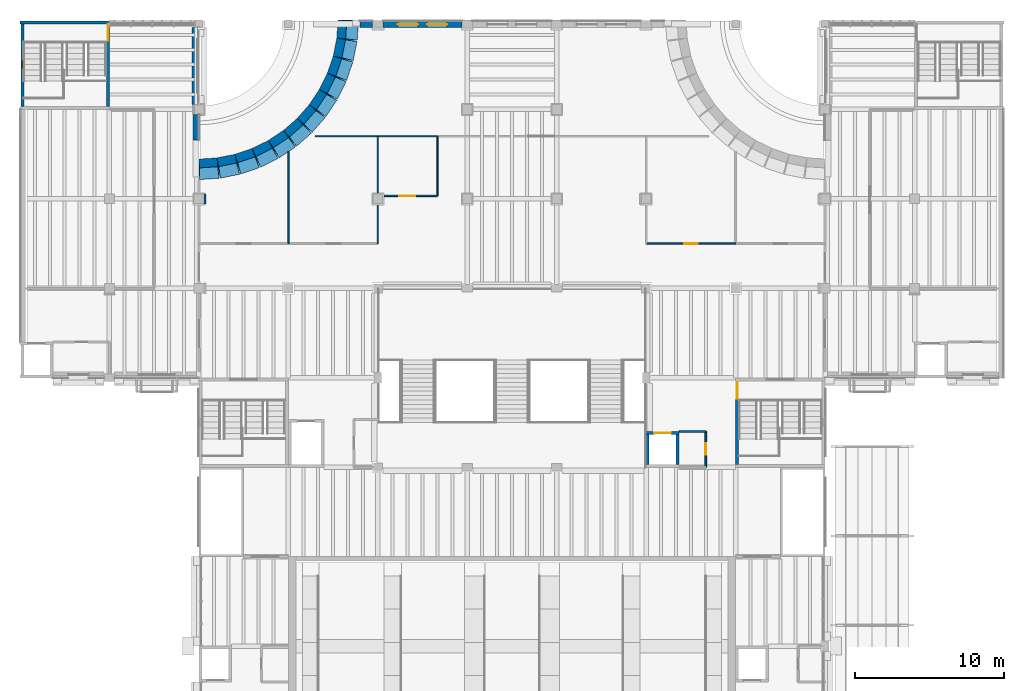
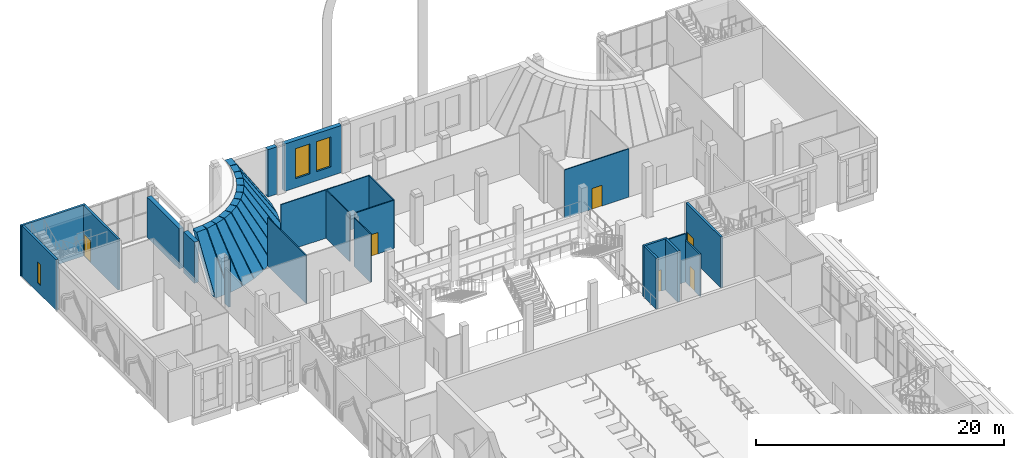
# One storey, part 44 of 80: 34 walls, 6 doors, 3 windows, 9 openings.
"""IFC4 building model written with IfcOpenShell, lengths in metres."""

from ifc_helpers import new_model, si_unit, direction, frame, frame_2d, origin, place, context, subcontext, project, spatial, polyline, rectangle, outline, extrude, material, layer, layer_set, type_object, element, fill, save


model = new_model("IFC4")

# Units and contexts
model_context = context("Model", 3, precision=1e-05, world=origin(), true_north=direction((0.0, 1.0)))
body_context = subcontext(model_context, "Body", "Model", "MODEL_VIEW")
ifc_project = project(units=[si_unit("LENGTHUNIT", "METRE"), si_unit("AREAUNIT", "SQUARE_METRE"), si_unit("VOLUMEUNIT", "CUBIC_METRE"), si_unit("PLANEANGLEUNIT", "RADIAN"), si_unit("MASSUNIT", "GRAM", prefix="KILO")], contexts=[model_context])

# Site, building, storey
site_placement = place(None, origin())
site = spatial("IfcSite", under=ifc_project, at=site_placement, CompositionType="ELEMENT")
building_placement = place(site_placement, origin())
building = spatial("IfcBuilding", under=site, at=building_placement, Name="Saffron Lane Theatres", CompositionType="ELEMENT")
storey_placement = place(building_placement, frame((0.0, 0.0, 7.0)))
storey = spatial("IfcBuildingStorey", under=building, at=storey_placement, Name="L01", CompositionType="ELEMENT", Elevation=7.0)

# Walls
ifc_material_1 = material(Name="Masonry pale clay brick", Category="masonry")
ifc_layer_1 = layer(ifc_material_1, 0.11, Name="facing leaf")
ifc_material_2 = material(Name="Air cavity", Category="air")
ifc_layer_2 = layer(ifc_material_2, 0.05, ventilated=True, Name="cavity")
ifc_material_3 = material(Name="Mineral wool insulation")
ifc_layer_3 = layer(ifc_material_3, 0.06, Name="insulation")
ifc_material_4 = material(Name="Concrete N40 (40 MPa)", Category="concrete")
ifc_layer_4 = layer(ifc_material_4, 0.18, Name="inner leaf")
ifc_layer_set_1 = layer_set([ifc_layer_1, ifc_layer_2, ifc_layer_3, ifc_layer_4], Name="Masonry pale clay brick")
wall_type_1 = type_object("IfcWallType", Name="EX-WALL BRICK 400", PredefinedType="SOLIDWALL", material=ifc_layer_set_1)
wall_1_placement = place(storey_placement, frame((11.75, 125.49951171875, 0.0), z_axis=(0.0, 0.0, 1.0), x_axis=(0.0, -1.0, 0.0)))
element("IfcWall", 1, at=wall_1_placement, inside=storey, type_object=wall_type_1, Name="External wall L01 03", PredefinedType="SOLIDWALL", context=body_context, shape_type="SweptSolid", body=[
    extrude(rectangle(XDim=5.174560546875, YDim=0.39990234375, at=frame_2d((2.58740234375, 0.0))), origin(), (0.0, 0.0, 1.0), 3.949951171875),
])
wall_2_placement = place(storey_placement, frame((11.800048828125, 119.675048828125, 0.0), z_axis=(0.0, 0.0, 1.0), x_axis=(0.0, -1.0, 0.0)))
element("IfcWall", 2, at=wall_2_placement, inside=storey, type_object=wall_type_1, Name="External wall L01 04", PredefinedType="SOLIDWALL", context=body_context, shape_type="SweptSolid", body=[
    extrude(rectangle(XDim=1.727783203125, YDim=0.39990234375, at=frame_2d((0.86376953125, 0.0))), origin(), (0.0, 0.0, 1.0), 4.050048828125),
])

# Wall, openings, windows
wall_3_placement = place(storey_placement, frame((24.35009765625, 125.699951171875, 0.0), z_axis=(0.0, 0.0, 1.0), x_axis=(1.0, 0.0, 0.0)))
wall_3 = element("IfcWall", 3, at=wall_3_placement, inside=storey, type_object=wall_type_1, Name="External wall L01 08", PredefinedType="SOLIDWALL", context=body_context, shape_type="SweptSolid", body=[
    extrude(rectangle(XDim=5.2998046875, YDim=0.39990234375, at=frame_2d((2.64990234375, 0.0))), origin(), (0.0, 0.0, 1.0), 4.64990234375),
])
opening_1_placement = place(wall_3_placement, frame((1.0, 0.0, 0.89990234375)))
opening_1 = element("IfcOpeningElement", 4, at=opening_1_placement, cuts=wall_3, Name="Opening WN01-002", PredefinedType="OPENING", context=body_context, shape_type="SweptSolid", body=[
    extrude(rectangle(XDim=1.35009765625, YDim=2.949951171875, at=frame_2d((0.675048828125, 1.47509765625))), frame((0.0, 0.2099609375, 0.0), z_axis=(0.0, -1.0, 0.0), x_axis=(1.0, 0.0, 0.0)), (0.0, 0.0, 1.0), 0.419921875),
])
opening_2_placement = place(wall_3_placement, frame((2.949951171875, 0.0, 0.89990234375)))
opening_2 = element("IfcOpeningElement", 5, at=opening_2_placement, cuts=wall_3, Name="Opening WN01-003", PredefinedType="OPENING", context=body_context, shape_type="SweptSolid", body=[
    extrude(rectangle(XDim=1.35009765625, YDim=2.949951171875, at=frame_2d((0.675048828125, 1.47509765625))), frame((0.0, 0.2099609375, 0.0), z_axis=(0.0, -1.0, 0.0), x_axis=(1.0, 0.0, 0.0)), (0.0, 0.0, 1.0), 0.419921875),
])
ifc_material_5 = material(Name="Aluminium", Category="aluminium")
window_type_1 = type_object("IfcWindowType", Name="EX-WINDOW 1350x2950", PartitioningType="SINGLE_PANEL", PredefinedType="WINDOW", material=ifc_material_5)
window_1_placement = place(opening_1_placement, origin())
window_1 = element("IfcWindow", 6, at=window_1_placement, inside=storey, type_object=window_type_1, Name="Window L01 002", OverallHeight=2.949951171875, OverallWidth=1.35009765625, PartitioningType="SINGLE_PANEL", PredefinedType="WINDOW", context=body_context, shape_type="SweptSolid", body=[
    extrude(rectangle(XDim=1.35009765625, YDim=2.949951171875, at=frame_2d((0.675048828125, 1.47509765625))), frame((0.0, 0.030029296875, 0.0), z_axis=(0.0, -1.0, 0.0), x_axis=(1.0, 0.0, 0.0)), (0.0, 0.0, 1.0), 0.06005859375),
])
fill(opening_1, window_1)
window_2_placement = place(opening_2_placement, origin())
window_2 = element("IfcWindow", 7, at=window_2_placement, inside=storey, type_object=window_type_1, Name="Window L01 003", OverallHeight=2.949951171875, OverallWidth=1.35009765625, PartitioningType="SINGLE_PANEL", PredefinedType="WINDOW", context=body_context, shape_type="SweptSolid", body=[
    extrude(rectangle(XDim=1.35009765625, YDim=2.949951171875, at=frame_2d((0.675048828125, 1.47509765625))), frame((0.0, 0.030029296875, 0.0), z_axis=(0.0, -1.0, 0.0), x_axis=(1.0, 0.0, 0.0)), (0.0, 0.0, 1.0), 0.06005859375),
])
fill(opening_2, window_2)

# Wall
ifc_material_6 = material(Name="Masonry pale clay brick (20 MPa)", Category="masonry")
ifc_layer_5 = layer(ifc_material_6, 0.39990234375)
ifc_layer_set_2 = layer_set([ifc_layer_5], Name="Masonry pale clay brick (20 MPa)")
wall_type_2 = type_object("IfcWallType", Name="EX-WALL BRICK BEARING 400", PredefinedType="SOLIDWALL", material=ifc_layer_set_2)
wall_4_placement = place(storey_placement, frame((22.7978515625, 125.699951171875, 0.0), z_axis=(0.0, 0.0, 1.0), x_axis=(1.0, 0.0, 0.0)))
element("IfcWall", 8, at=wall_4_placement, inside=storey, type_object=wall_type_2, Name="External wall L01 06", PredefinedType="SOLIDWALL", context=body_context, shape_type="SweptSolid", body=[
    extrude(rectangle(XDim=0.85205078125, YDim=0.39990234375, at=frame_2d((0.426025390625, 0.0))), origin(), (0.0, 0.0, 1.0), 4.64990234375),
])

# Wall, opening, door
ifc_material_7 = material(Name="Masonry block partition", Category="masonry")
ifc_layer_6 = layer(ifc_material_7, 0.110107421875)
ifc_layer_set_3 = layer_set([ifc_layer_6], Name="Masonry block partition")
wall_type_3 = type_object("IfcWallType", Name="IN-BLOCK PARTITION 110", PredefinedType="PARTITIONING", material=ifc_layer_set_3)
wall_5_placement = place(storey_placement, frame((46.0, 96.0, 0.0), z_axis=(0.0, 0.0, 1.0), x_axis=(0.0, 1.0, 0.0)))
wall_5 = element("IfcWall", 9, at=wall_5_placement, inside=storey, type_object=wall_type_3, Name="PW-L01-042", PredefinedType="PARTITIONING", context=body_context, shape_type="SweptSolid", body=[
    extrude(rectangle(XDim=2.39990234375, YDim=0.110107421875, at=frame_2d((1.199951171875, 0.0))), origin(), (0.0, 0.0, 1.0), 4.14990234375),
])
opening_3_placement = place(wall_5_placement, frame((0.85009765625, 0.0, 0.0)))
opening_3 = element("IfcOpeningElement", 10, at=opening_3_placement, cuts=wall_5, Name="Opening D01-51", PredefinedType="OPENING", context=body_context, shape_type="SweptSolid", body=[
    extrude(rectangle(XDim=0.75, YDim=2.0400390625, at=frame_2d((0.375, 1.02001953125))), frame((0.0, 0.06494140625, 0.0), z_axis=(0.0, -1.0, 0.0), x_axis=(1.0, 0.0, 0.0)), (0.0, 0.0, 1.0), 0.130126953125),
])
ifc_material_8 = material(Name="Steel faced fire door leaf", Category="steel")
door_type_1 = type_object("IfcDoorType", Name="IN-DOOR 750x2040 FD60", OperationType="NOTDEFINED", PredefinedType="DOOR", material=ifc_material_8)
door_1_placement = place(opening_3_placement, origin())
door_1 = element("IfcDoor", 11, at=door_1_placement, inside=storey, type_object=door_type_1, Name="D01-51", OperationType="SINGLE_SWING_LEFT", OverallHeight=2.0400390625, OverallWidth=0.75, PredefinedType="DOOR", context=body_context, shape_type="SweptSolid", body=[
    extrude(rectangle(XDim=0.75, YDim=2.0400390625, at=frame_2d((0.375, 1.02001953125))), frame((0.0, 0.02490234375, 0.0), z_axis=(0.0, -1.0, 0.0), x_axis=(1.0, 0.0, 0.0)), (0.0, 0.0, 1.0), 0.050048828125),
])
fill(opening_3, door_1)

# Walls
wall_6_placement = place(storey_placement, frame((44.219970703125, 98.39990234375, 0.0), z_axis=(0.0, 0.0, 1.0), x_axis=(1.0, 0.0, 0.0)))
element("IfcWall", 12, at=wall_6_placement, inside=storey, type_object=wall_type_3, Name="PW-L01-043", PredefinedType="PARTITIONING", context=body_context, shape_type="SweptSolid", body=[
    extrude(rectangle(XDim=1.780029296875, YDim=0.110107421875, at=frame_2d((0.89013671875, 0.0))), origin(), (0.0, 0.0, 1.0), 4.75),
])
ifc_material_9 = material(Name="Masonry block partition", Category="masonry")
ifc_layer_7 = layer(ifc_material_9, 0.139892578125)
ifc_layer_set_4 = layer_set([ifc_layer_7], Name="Masonry block partition")
wall_type_4 = type_object("IfcWallType", Name="IN-BLOCK PARTITION 140", PredefinedType="PARTITIONING", material=ifc_layer_set_4)
wall_7_placement = place(storey_placement, frame((12.39990234375, 113.655029296875, 0.0), z_axis=(0.0, 0.0, 1.0), x_axis=(0.0, 1.0, 0.0)))
element("IfcWall", 13, at=wall_7_placement, inside=storey, type_object=wall_type_4, Name="PW-L01-052", PredefinedType="PARTITIONING", context=body_context, shape_type="SweptSolid", body=[
    extrude(rectangle(XDim=0.68994140625, YDim=0.139892578125, at=frame_2d((0.344970703125, 0.0))), origin(), (0.0, 0.0, 1.0), 4.75),
])
ifc_material_10 = material(Name="Plasterboard on 90 mm steel studs", Category="steel")
ifc_layer_8 = layer(ifc_material_10, 0.090087890625)
ifc_layer_set_5 = layer_set([ifc_layer_8], Name="Plasterboard on 90 mm steel studs")
wall_type_5 = type_object("IfcWallType", Name="IN-STUD PARTITION 090", PredefinedType="PARTITIONING", material=ifc_layer_set_5)
wall_8_placement = place(storey_placement, frame((24.0, 111.0, 0.0), z_axis=(0.0, 0.0, 1.0), x_axis=(0.0, 1.0, 0.0)))
element("IfcWall", 14, at=wall_8_placement, inside=storey, type_object=wall_type_5, Name="PW-L01-078", PredefinedType="PARTITIONING", context=body_context, shape_type="SweptSolid", body=[
    extrude(rectangle(XDim=2.655029296875, YDim=0.090087890625, at=frame_2d((1.32763671875, 0.0))), origin(), (0.0, 0.0, 1.0), 4.75),
])
wall_9_placement = place(storey_placement, frame((18.0, 111.0, 0.0), z_axis=(0.0, 0.0, 1.0), x_axis=(0.0, 1.0, 0.0)))
element("IfcWall", 15, at=wall_9_placement, inside=storey, type_object=wall_type_5, Name="PW-L01-080", PredefinedType="PARTITIONING", context=body_context, shape_type="SweptSolid", body=[
    extrude(rectangle(XDim=6.1591796875, YDim=0.090087890625, at=frame_2d((3.07958984375, 0.0))), origin(), (0.0, 0.0, 1.0), 4.75),
])
wall_10_placement = place(storey_placement, frame((19.800048828125, 118.199951171875, 0.0), z_axis=(0.0, 0.0, 1.0), x_axis=(1.0, 0.0, 0.0)))
element("IfcWall", 16, at=wall_10_placement, inside=storey, type_object=wall_type_5, Name="PW-L01-081", PredefinedType="PARTITIONING", context=body_context, shape_type="SweptSolid", body=[
    extrude(rectangle(XDim=4.199951171875, YDim=0.090087890625, at=frame_2d((2.10009765625, 0.0))), origin(), (0.0, 0.0, 1.0), 4.75),
])

# Wall, opening, door
wall_11_placement = place(storey_placement, frame((24.344970703125, 114.199951171875, 0.0), z_axis=(0.0, 0.0, 1.0), x_axis=(1.0, 0.0, 0.0)))
wall_11 = element("IfcWall", 17, at=wall_11_placement, inside=storey, type_object=wall_type_5, Name="PW-L01-082", PredefinedType="PARTITIONING", context=body_context, shape_type="SweptSolid", body=[
    extrude(rectangle(XDim=3.655029296875, YDim=0.090087890625, at=frame_2d((1.82763671875, 0.0))), origin(), (0.0, 0.0, 1.0), 4.75),
])
opening_4_placement = place(wall_11_placement, frame((1.10498046875, 0.0, 0.0)))
opening_4 = element("IfcOpeningElement", 18, at=opening_4_placement, cuts=wall_11, Name="Opening D01-07", PredefinedType="OPENING", context=body_context, shape_type="SweptSolid", body=[
    extrude(rectangle(XDim=1.050048828125, YDim=2.10009765625, at=frame_2d((0.52490234375, 1.050048828125))), frame((0.0, 0.05517578125, 0.0), z_axis=(0.0, -1.0, 0.0), x_axis=(1.0, 0.0, 0.0)), (0.0, 0.0, 1.0), 0.110107421875),
])
ifc_material_11 = material(Name="Timber door leaf", Category="wood")
door_type_2 = type_object("IfcDoorType", Name="IN-DOOR 1050x2100", OperationType="NOTDEFINED", PredefinedType="DOOR", material=ifc_material_11)
door_2_placement = place(opening_4_placement, origin())
door_2 = element("IfcDoor", 19, at=door_2_placement, inside=storey, type_object=door_type_2, Name="D01-07", OperationType="SINGLE_SWING_RIGHT", OverallHeight=2.10009765625, OverallWidth=1.050048828125, PredefinedType="DOOR", context=body_context, shape_type="SweptSolid", body=[
    extrude(rectangle(XDim=1.050048828125, YDim=2.10009765625, at=frame_2d((0.52490234375, 1.050048828125))), frame((0.0, 0.02490234375, 0.0), z_axis=(0.0, -1.0, 0.0), x_axis=(1.0, 0.0, 0.0)), (0.0, 0.0, 1.0), 0.050048828125),
])
fill(opening_4, door_2)

# Walls
wall_12_placement = place(storey_placement, frame((28.0, 114.199951171875, 0.0), z_axis=(0.0, 0.0, 1.0), x_axis=(0.0, 1.0, 0.0)))
element("IfcWall", 20, at=wall_12_placement, inside=storey, type_object=wall_type_5, Name="PW-L01-083", PredefinedType="PARTITIONING", context=body_context, shape_type="SweptSolid", body=[
    extrude(rectangle(XDim=4.0, YDim=0.090087890625, at=frame_2d((2.0, 0.0))), origin(), (0.0, 0.0, 1.0), 4.75),
])
wall_13_placement = place(storey_placement, frame((24.0, 114.344970703125, 0.0), z_axis=(0.0, 0.0, 1.0), x_axis=(0.0, 1.0, 0.0)))
element("IfcWall", 21, at=wall_13_placement, inside=storey, type_object=wall_type_5, Name="PW-L01-084", PredefinedType="PARTITIONING", context=body_context, shape_type="SweptSolid", body=[
    extrude(rectangle(XDim=3.85498046875, YDim=0.090087890625, at=frame_2d((1.927490234375, 0.0))), origin(), (0.0, 0.0, 1.0), 4.75),
])
wall_14_placement = place(storey_placement, frame((24.0, 118.199951171875, 0.0), z_axis=(0.0, 0.0, 1.0), x_axis=(1.0, 0.0, 0.0)))
element("IfcWall", 22, at=wall_14_placement, inside=storey, type_object=wall_type_5, Name="PW-L01-085", PredefinedType="PARTITIONING", context=body_context, shape_type="SweptSolid", body=[
    extrude(rectangle(XDim=4.0, YDim=0.090087890625, at=frame_2d((2.0, 0.0))), origin(), (0.0, 0.0, 1.0), 4.75),
])

# Wall, opening, door
wall_15_placement = place(storey_placement, frame((42.0, 111.0, 0.0), z_axis=(0.0, 0.0, 1.0), x_axis=(1.0, 0.0, 0.0)))
wall_15 = element("IfcWall", 23, at=wall_15_placement, inside=storey, type_object=wall_type_5, Name="PW-L01-088", PredefinedType="PARTITIONING", context=body_context, shape_type="SweptSolid", body=[
    extrude(rectangle(XDim=6.0, YDim=0.090087890625, at=frame_2d((3.0, 0.0))), origin(), (0.0, 0.0, 1.0), 4.75),
])
opening_5_placement = place(wall_15_placement, frame((2.550048828125, 0.0, 0.0)))
opening_5 = element("IfcOpeningElement", 24, at=opening_5_placement, cuts=wall_15, Name="Opening D01-05", PredefinedType="OPENING", context=body_context, shape_type="SweptSolid", body=[
    extrude(rectangle(XDim=0.919921875, YDim=2.0400390625, at=frame_2d((0.4599609375, 1.02001953125))), frame((0.0, 0.05517578125, 0.0), z_axis=(0.0, -1.0, 0.0), x_axis=(1.0, 0.0, 0.0)), (0.0, 0.0, 1.0), 0.110107421875),
])
ifc_material_12 = material(Name="Timber door leaf", Category="wood")
door_type_3 = type_object("IfcDoorType", Name="IN-DOOR 920x2040", OperationType="NOTDEFINED", PredefinedType="DOOR", material=ifc_material_12)
door_3_placement = place(opening_5_placement, origin())
door_3 = element("IfcDoor", 25, at=door_3_placement, inside=storey, type_object=door_type_3, Name="D01-05", OperationType="SINGLE_SWING_RIGHT", OverallHeight=2.0400390625, OverallWidth=0.919921875, PredefinedType="DOOR", context=body_context, shape_type="SweptSolid", body=[
    extrude(rectangle(XDim=0.919921875, YDim=2.0400390625, at=frame_2d((0.4599609375, 1.02001953125))), frame((0.0, 0.02490234375, 0.0), z_axis=(0.0, -1.0, 0.0), x_axis=(1.0, 0.0, 0.0)), (0.0, 0.0, 1.0), 0.050048828125),
])
fill(opening_5, door_3)

ifc_material_13 = material(Name="Concrete N50 (50 MPa)", Category="concrete")
ifc_layer_9 = layer(ifc_material_13, 0.199951171875)
ifc_layer_set_6 = layer_set([ifc_layer_9], Name="Concrete N50 (50 MPa)")
wall_type_6 = type_object("IfcWallType", Name="RC-CORE 200", PredefinedType="SHEAR", material=ifc_layer_set_6)
wall_16_placement = place(storey_placement, frame((48.10009765625, 96.199951171875, 0.0), z_axis=(0.0, 0.0, 1.0), x_axis=(0.0, 1.0, 0.0)))
wall_16 = element("IfcWall", 26, at=wall_16_placement, inside=storey, type_object=wall_type_6, Name="W-ST2-W-L01", PredefinedType="SHEAR", context=body_context, shape_type="SweptSolid", body=[
    extrude(rectangle(XDim=5.60009765625, YDim=0.199951171875, at=frame_2d((2.800048828125, 0.0))), origin(), (0.0, 0.0, 1.0), 5.0),
])
opening_6_placement = place(wall_16_placement, frame((4.39990234375, 0.0, 0.0)))
opening_6 = element("IfcOpeningElement", 27, at=opening_6_placement, cuts=wall_16, Name="Opening D01-34", PredefinedType="OPENING", context=body_context, shape_type="SweptSolid", body=[
    extrude(rectangle(XDim=1.10009765625, YDim=2.199951171875, at=frame_2d((0.550048828125, 1.10009765625))), frame((0.0, 0.10986328125, 0.0), z_axis=(0.0, -1.0, 0.0), x_axis=(1.0, 0.0, 0.0)), (0.0, 0.0, 1.0), 0.219970703125),
])
ifc_material_14 = material(Name="Steel faced fire door leaf", Category="steel")
door_type_4 = type_object("IfcDoorType", Name="IN-DOOR 1100x2200 FD120", OperationType="NOTDEFINED", PredefinedType="DOOR", material=ifc_material_14)
door_4_placement = place(opening_6_placement, frame((1.10009765625, 0.0, 0.0), z_axis=(0.0, 0.0, 1.0), x_axis=(-1.0, 0.0, 0.0)))
door_4 = element("IfcDoor", 28, at=door_4_placement, inside=storey, type_object=door_type_4, Name="D01-34", OperationType="SINGLE_SWING_RIGHT", OverallHeight=2.199951171875, OverallWidth=1.10009765625, PredefinedType="DOOR", context=body_context, shape_type="SweptSolid", body=[
    extrude(rectangle(XDim=1.10009765625, YDim=2.199951171875, at=frame_2d((0.550048828125, 1.10009765625))), frame((0.0, 0.02490234375, 0.0), z_axis=(0.0, -1.0, 0.0), x_axis=(1.0, 0.0, 0.0)), (0.0, 0.0, 1.0), 0.050048828125),
])
fill(opening_6, door_4)

wall_17_placement = place(storey_placement, frame((5.89990234375, 120.199951171875, 0.0), z_axis=(0.0, 0.0, 1.0), x_axis=(0.0, 1.0, 0.0)))
wall_17 = element("IfcWall", 29, at=wall_17_placement, inside=storey, type_object=wall_type_6, Name="W-ST14-E-L01", PredefinedType="SHEAR", context=body_context, shape_type="SweptSolid", body=[
    extrude(rectangle(XDim=5.60009765625, YDim=0.199951171875, at=frame_2d((2.800048828125, 0.0))), origin(), (0.0, 0.0, 1.0), 5.0),
])
opening_7_placement = place(wall_17_placement, frame((4.39990234375, 0.0, 0.0)))
opening_7 = element("IfcOpeningElement", 30, at=opening_7_placement, cuts=wall_17, Name="Opening D01-48", PredefinedType="OPENING", context=body_context, shape_type="SweptSolid", body=[
    extrude(rectangle(XDim=1.10009765625, YDim=2.199951171875, at=frame_2d((0.550048828125, 1.10009765625))), frame((0.0, 0.10986328125, 0.0), z_axis=(0.0, -1.0, 0.0), x_axis=(1.0, 0.0, 0.0)), (0.0, 0.0, 1.0), 0.219970703125),
])
door_5_placement = place(opening_7_placement, origin())
door_5 = element("IfcDoor", 31, at=door_5_placement, inside=storey, type_object=door_type_4, Name="D01-48", OperationType="SINGLE_SWING_LEFT", OverallHeight=2.199951171875, OverallWidth=1.10009765625, PredefinedType="DOOR", context=body_context, shape_type="SweptSolid", body=[
    extrude(rectangle(XDim=1.10009765625, YDim=2.199951171875, at=frame_2d((0.550048828125, 1.10009765625))), frame((0.0, 0.02490234375, 0.0), z_axis=(0.0, -1.0, 0.0), x_axis=(1.0, 0.0, 0.0)), (0.0, 0.0, 1.0), 0.050048828125),
])
fill(opening_7, door_5)

wall_18_placement = place(storey_placement, frame((42.0, 98.300048828125, 0.0), z_axis=(0.0, 0.0, 1.0), x_axis=(1.0, 0.0, 0.0)))
wall_18 = element("IfcWall", 32, at=wall_18_placement, inside=storey, type_object=wall_type_6, Name="W-LC2-N-L01", PredefinedType="SHEAR", context=body_context, shape_type="SweptSolid", body=[
    extrude(rectangle(XDim=2.199951171875, YDim=0.199951171875, at=frame_2d((1.10009765625, 0.0))), origin(), (0.0, 0.0, 1.0), 5.0),
])
opening_8_placement = place(wall_18_placement, frame((0.550048828125, 0.0, 0.0)))
opening_8 = element("IfcOpeningElement", 33, at=opening_8_placement, cuts=wall_18, Name="Opening LD6", PredefinedType="OPENING", context=body_context, shape_type="SweptSolid", body=[
    extrude(rectangle(XDim=1.10009765625, YDim=2.10009765625, at=frame_2d((0.550048828125, 1.050048828125))), frame((0.0, 0.10986328125, 0.0), z_axis=(0.0, -1.0, 0.0), x_axis=(1.0, 0.0, 0.0)), (0.0, 0.0, 1.0), 0.219970703125),
])
ifc_material_15 = material(Name="Stainless steel 316", Category="steel")
door_type_5 = type_object("IfcDoorType", Name="VC-LANDING DOOR 1100x2100", OperationType="DOUBLE_DOOR_SLIDING", PredefinedType="DOOR", material=ifc_material_15)
door_6_placement = place(opening_8_placement, origin())
door_6 = element("IfcDoor", 34, at=door_6_placement, inside=storey, type_object=door_type_5, Name="Landing doors LC2 L01", OperationType="DOUBLE_DOOR_SLIDING", OverallHeight=2.10009765625, OverallWidth=1.10009765625, PredefinedType="DOOR", context=body_context, shape_type="SweptSolid", body=[
    extrude(rectangle(XDim=1.10009765625, YDim=2.10009765625, at=frame_2d((0.550048828125, 1.050048828125))), frame((0.0, 0.02490234375, 0.0), z_axis=(0.0, -1.0, 0.0), x_axis=(1.0, 0.0, 0.0)), (0.0, 0.0, 1.0), 0.050048828125),
])
fill(opening_8, door_6)

# Walls
for number, where, z_axis, x_axis, name in (
    (35, (42.10009765625, 96.199951171875, 0.0), (0.0, 0.0, 1.0), (0.0, 1.0, 0.0), "W-LC2-W-L01"),
    (36, (44.10009765625, 96.199951171875, 0.0), (0.0, 0.0, 1.0), (0.0, 1.0, 0.0), "W-LC2-E-L01"),
):
    element("IfcWall", number, at=place(storey_placement, frame(where, z_axis=z_axis, x_axis=x_axis)), inside=storey, type_object=wall_type_6, Name=name, PredefinedType="SHEAR", context=body_context, shape_type="SweptSolid", body=[
        extrude(rectangle(XDim=2.0, YDim=0.199951171875, at=frame_2d((1.0, 0.0))), origin(), (0.0, 0.0, 1.0), 5.0),
    ])
ifc_material_16 = material(Name="Concrete N50 (50 MPa)", Category="concrete")
ifc_layer_10 = layer(ifc_material_16, 0.199951171875)
ifc_layer_set_7 = layer_set([ifc_layer_10], Name="Concrete N50 (50 MPa)")
wall_type_7 = type_object("IfcWallType", Name="RC-CORE EXTERNAL 200", PredefinedType="SHEAR", material=ifc_layer_set_7)
wall_19_placement = place(storey_placement, frame((0.0, 125.840087890625, 0.0), z_axis=(0.0, 0.0, 1.0), x_axis=(1.0, 0.0, 0.0)))
element("IfcWall", 37, at=wall_19_placement, inside=storey, type_object=wall_type_7, Name="W-ST14-N-L01", PredefinedType="SHEAR", context=body_context, shape_type="SweptSolid", body=[
    extrude(rectangle(XDim=6.0, YDim=0.199951171875, at=frame_2d((3.0, 0.0))), origin(), (0.0, 0.0, 1.0), 5.0),
])

# Wall, opening, window
wall_20_placement = place(storey_placement, frame((0.159912109375, 120.199951171875, 0.0), z_axis=(0.0, 0.0, 1.0), x_axis=(0.0, 1.0, 0.0)))
wall_20 = element("IfcWall", 38, at=wall_20_placement, inside=storey, type_object=wall_type_7, Name="W-ST14-W-L01", PredefinedType="SHEAR", context=body_context, shape_type="SweptSolid", body=[
    extrude(rectangle(XDim=5.60009765625, YDim=0.199951171875, at=frame_2d((2.800048828125, 0.0))), origin(), (0.0, 0.0, 1.0), 5.0),
])
opening_9_placement = place(wall_20_placement, frame((2.550048828125, 0.0, 0.89990234375)))
opening_9 = element("IfcOpeningElement", 39, at=opening_9_placement, cuts=wall_20, Name="Opening WN01-017", PredefinedType="OPENING", context=body_context, shape_type="SweptSolid", body=[
    extrude(rectangle(XDim=0.5, YDim=2.10009765625, at=frame_2d((0.25, 1.050048828125))), frame((0.0, 0.10986328125, 0.0), z_axis=(0.0, -1.0, 0.0), x_axis=(1.0, 0.0, 0.0)), (0.0, 0.0, 1.0), 0.219970703125),
])
ifc_material_17 = material(Name="Aluminium", Category="aluminium")
window_type_2 = type_object("IfcWindowType", Name="EX-WINDOW 500x2100", PartitioningType="SINGLE_PANEL", PredefinedType="WINDOW", material=ifc_material_17)
window_3_placement = place(opening_9_placement, origin())
window_3 = element("IfcWindow", 40, at=window_3_placement, inside=storey, type_object=window_type_2, Name="Stair light ST14 L01", OverallHeight=2.10009765625, OverallWidth=0.5, PartitioningType="SINGLE_PANEL", PredefinedType="WINDOW", context=body_context, shape_type="SweptSolid", body=[
    extrude(rectangle(XDim=0.5, YDim=2.10009765625, at=frame_2d((0.25, 1.050048828125))), frame((0.0, 0.030029296875, 0.0), z_axis=(0.0, -1.0, 0.0), x_axis=(1.0, 0.0, 0.0)), (0.0, 0.0, 1.0), 0.06005859375),
])
fill(opening_9, window_3)

# Walls
ifc_material_18 = material(Name="Concrete N50 (50 MPa)", Category="concrete")
ifc_layer_11 = layer(ifc_material_18, 0.5)
ifc_layer_set_8 = layer_set([ifc_layer_11], Name="Concrete N50 (50 MPa)")
wall_type_8 = type_object("IfcWallType", Name="RC-SCOOP 500", PredefinedType="SOLIDWALL", material=ifc_layer_set_8)
wall_21_placement = place(storey_placement, frame((22.109619140625, 125.99951171875, 0.0), z_axis=(0.836965590728, -0.054899407289, 0.544494862249), x_axis=(-0.065478224383, -0.997853997628, 3.9353391e-05)))
element("IfcWall", 41, at=wall_21_placement, inside=storey, type_object=wall_type_8, Name="W-SCOOP-NW-L01-1-F1", PredefinedType="SOLIDWALL", context=body_context, shape_type="SweptSolid", body=[
    extrude(outline(polyline([(0.0, 0.0), (1.3224232487396035, 0.0), (1.1250487660337651, -5.543701317582919), (0.19826420971947611, -5.54380684659443), (0.0, 0.0)])), origin(), (-7.5390492e-05, 0.544494858635, 0.838764176176), 0.59619140625),
])
wall_22_placement = place(storey_placement, frame((22.02294921875, 124.679931640625, 0.0), z_axis=(0.822637628243, -0.163726196101, 0.544482382919), x_axis=(-0.19518555592, -0.980766332218, -1.8656341e-05)))
element("IfcWall", 42, at=wall_22_placement, inside=storey, type_object=wall_type_8, Name="W-SCOOP-NW-L01-1-F2", PredefinedType="SOLIDWALL", context=body_context, shape_type="SweptSolid", body=[
    extrude(outline(polyline([(0.0, 0.0), (1.3223002659543204, 0.0), (1.1246215006145033, -5.543725570131626), (0.1980968947913284, -5.543675550783111), (0.0, 0.0)])), origin(), (-9.7361744e-05, 0.544482381956, 0.838772273182), 0.59619140625),
])
wall_23_placement = place(storey_placement, frame((21.764892578125, 123.383056640625, 0.0), z_axis=(0.794324736016, -0.269418488523, 0.544483141883), x_axis=(-0.321223106822, -0.947003545328, 2.7908524e-05)))
element("IfcWall", 43, at=wall_23_placement, inside=storey, type_object=wall_type_8, Name="W-SCOOP-NW-L01-1-F3", PredefinedType="SOLIDWALL", context=body_context, shape_type="SweptSolid", body=[
    extrude(outline(polyline([(0.0, 0.0), (1.3222923315088195, -5.551115123125783e-17), (1.1240083083481114, -5.543666414529409), (0.19723860310593558, -5.543741247758723), (0.0, 0.0)])), origin(), (0.000228076126, 0.544483133272, 0.838771760113), 0.59619140625),
])
wall_24_placement = place(storey_placement, frame((21.340087890625, 122.130859375, 0.0), z_axis=(0.752251892463, -0.371027167972, 0.544477667964), x_axis=(-0.442340729705, -0.896847076605, -5.472957e-06)))
element("IfcWall", 44, at=wall_24_placement, inside=storey, type_object=wall_type_8, Name="W-SCOOP-NW-L01-1-F4", PredefinedType="SOLIDWALL", context=body_context, shape_type="SweptSolid", body=[
    extrude(outline(polyline([(0.0, 0.0), (1.3224442105756826, 0.0), (1.1247499118024649, -5.543687664743951), (0.198100123243744, -5.5436729895449215), (0.0, 0.0)])), origin(), (-5.7860587e-05, 0.544477667327, 0.838775337283), 0.59619140625),
])
wall_25_placement = place(storey_placement, frame((20.755126953125, 120.94482421875, 0.0), z_axis=(0.697421440223, -0.465979494917, 0.544487323116), x_axis=(-0.555539086285, -0.831490422718, -2.3173265e-05)))
element("IfcWall", 45, at=wall_25_placement, inside=storey, type_object=wall_type_8, Name="W-SCOOP-NW-L01-1-F5", PredefinedType="SOLIDWALL", context=body_context, shape_type="SweptSolid", body=[
    extrude(outline(polyline([(0.0, 0.0), (1.3224243101942847, 0.0), (1.1243226504328092, -5.543752814534988), (0.1976098313227697, -5.543690676036615), (0.0, 0.0)])), origin(), (3.7050069e-05, 0.544487322169, 0.838769071095), 0.59619140625),
])
wall_26_placement = place(storey_placement, frame((20.0205078125, 119.84521484375, 0.0), z_axis=(0.630572172367, -0.553093552863, 0.544487150645), x_axis=(-0.659421060078, -0.751773812455, 2.0792921e-05)))
element("IfcWall", 46, at=wall_26_placement, inside=storey, type_object=wall_type_8, Name="W-SCOOP-NW-L01-1-F6", PredefinedType="SOLIDWALL", context=body_context, shape_type="SweptSolid", body=[
    extrude(outline(polyline([(0.0, 0.0), (1.322430417704039, -5.551115123125783e-17), (1.1249923216100686, -5.54369312334895), (0.19821171269354956, -5.54374888084167), (0.0, 0.0)])), origin(), (-0.000100073636, 0.544487146291, 0.838769180114), 0.59619140625),
])
wall_27_placement = place(storey_placement, frame((19.1484375, 118.85107421875, 0.0), z_axis=(0.553093552863, -0.630572172367, 0.544487150645), x_axis=(-0.751773812455, -0.659421060078, -2.0792921e-05)))
element("IfcWall", 47, at=wall_27_placement, inside=storey, type_object=wall_type_8, Name="W-SCOOP-NW-L01-1-F7", PredefinedType="SOLIDWALL", context=body_context, shape_type="SweptSolid", body=[
    extrude(outline(polyline([(0.0, 0.0), (1.322430417704039, 5.551115123125783e-17), (1.124218705010489, -5.54374888084167), (0.19743809609397042, -5.54369312334895), (0.0, 0.0)])), origin(), (0.000100073636, 0.544487146291, 0.838769180114), 0.59619140625),
])
wall_28_placement = place(storey_placement, frame((18.154296875, 117.97900390625, 0.0), z_axis=(0.465979494917, -0.697421440223, 0.544487323116), x_axis=(-0.831490422718, -0.555539086285, 2.3173265e-05)))
element("IfcWall", 48, at=wall_28_placement, inside=storey, type_object=wall_type_8, Name="W-SCOOP-NW-L01-1-F8", PredefinedType="SOLIDWALL", context=body_context, shape_type="SweptSolid", body=[
    extrude(outline(polyline([(0.0, 0.0), (1.3224243101942847, 0.0), (1.1248144788715149, -5.543690676036615), (0.19810165976147526, -5.543752814534988), (0.0, 0.0)])), origin(), (-3.7050069e-05, 0.544487322169, 0.838769071095), 0.59619140625),
])
wall_29_placement = place(storey_placement, frame((17.0546875, 117.244384765625, 0.0), z_axis=(0.371027167972, -0.752251892463, 0.544477667964), x_axis=(-0.896847076605, -0.442340729705, 5.472957e-06)))
element("IfcWall", 49, at=wall_29_placement, inside=storey, type_object=wall_type_8, Name="W-SCOOP-NW-L01-1-F9", PredefinedType="SOLIDWALL", context=body_context, shape_type="SweptSolid", body=[
    extrude(outline(polyline([(0.0, 0.0), (1.3224442105756826, 0.0), (1.1243440873319386, -5.5436729895449215), (0.1976942987732176, -5.543687664743951), (0.0, 0.0)])), origin(), (5.7860587e-05, 0.544477667327, 0.838775337283), 0.59619140625),
])
wall_30_placement = place(storey_placement, frame((15.86865234375, 116.659423828125, 0.0), z_axis=(0.269418488523, -0.794324736016, 0.544483141883), x_axis=(-0.947003545328, -0.321223106822, -2.7908524e-05)))
element("IfcWall", 50, at=wall_30_placement, inside=storey, type_object=wall_type_8, Name="W-SCOOP-NW-L01-1-F10", PredefinedType="SOLIDWALL", context=body_context, shape_type="SweptSolid", body=[
    extrude(outline(polyline([(0.0, 0.0), (1.3222923315088195, 5.551115123125783e-17), (1.1250537284028839, -5.543741247758722), (0.198284023160708, -5.543666414529409), (0.0, 0.0)])), origin(), (-0.000228076126, 0.544483133272, 0.838771760113), 0.59619140625),
])
wall_31_placement = place(storey_placement, frame((14.616455078125, 116.234619140625, 0.0), z_axis=(0.163726196101, -0.822637628243, 0.544482382919), x_axis=(-0.980766332218, -0.19518555592, 1.8656341e-05)))
element("IfcWall", 51, at=wall_31_placement, inside=storey, type_object=wall_type_8, Name="W-SCOOP-NW-L01-1-F11", PredefinedType="SOLIDWALL", context=body_context, shape_type="SweptSolid", body=[
    extrude(outline(polyline([(0.0, 0.0), (1.3223002659543204, 0.0), (1.1242033711629917, -5.543675550783111), (0.19767876533981713, -5.543725570131626), (0.0, 0.0)])), origin(), (9.7361744e-05, 0.544482381956, 0.838772273182), 0.59619140625),
])
wall_32_placement = place(storey_placement, frame((13.319580078125, 115.9765625, 0.0), z_axis=(0.054899407289, -0.836965590728, 0.544494862249), x_axis=(-0.997853997628, -0.065478224383, -3.9353391e-05)))
element("IfcWall", 52, at=wall_32_placement, inside=storey, type_object=wall_type_8, Name="W-SCOOP-NW-L01-1-F12", PredefinedType="SOLIDWALL", context=body_context, shape_type="SweptSolid", body=[
    extrude(outline(polyline([(0.0, 0.0), (1.3224232487396035, 0.0), (1.1241590390201273, -5.54380684659443), (0.19737448270583838, -5.543701317582919), (0.0, 0.0)])), origin(), (7.5390492e-05, 0.544494858635, 0.838764176176), 0.59619140625),
])

save(model, "model.ifc")
